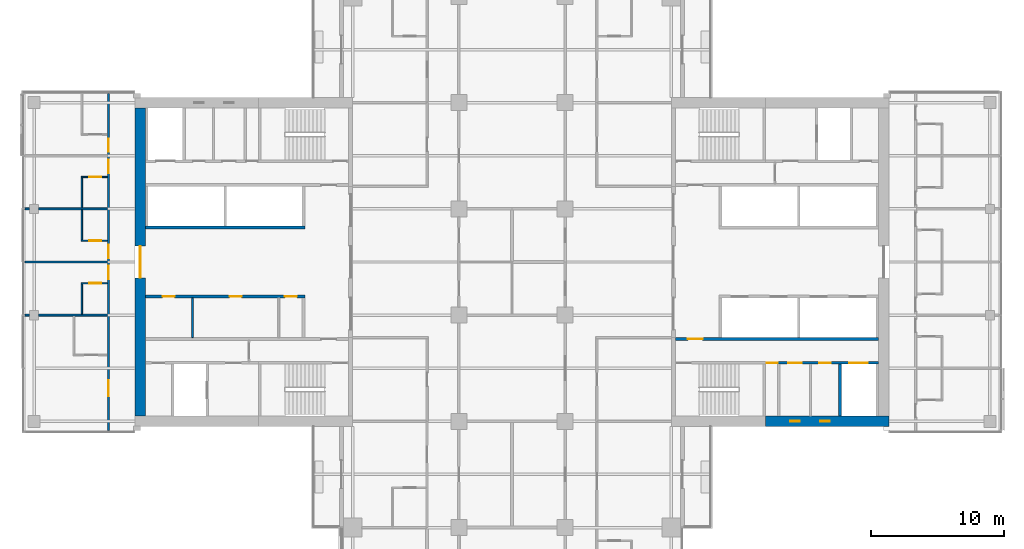
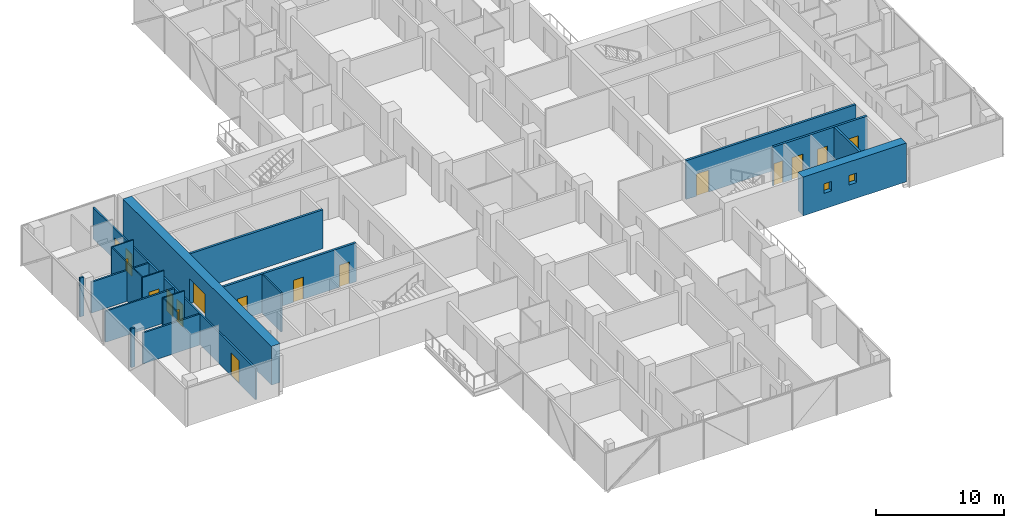
# One storey, part 17 of 27: 20 walls, 17 doors, 2 windows, 19 openings.
"""IFC4 building model written with IfcOpenShell, lengths in metres."""

from ifc_helpers import new_model, si_unit, direction, frame, frame_2d, origin, place, context, subcontext, project, spatial, rectangle, extrude, material, layer, layer_set, constituent, constituent_set, type_object, element, fill, save


model = new_model("IFC4")

# Units and contexts
model_context = context("Model", 3, precision=1e-05, world=origin(), true_north=direction((0.0, 1.0)))
body_context = subcontext(model_context, "Body", "Model", "MODEL_VIEW")
ifc_project = project(units=[si_unit("LENGTHUNIT", "METRE"), si_unit("AREAUNIT", "SQUARE_METRE"), si_unit("VOLUMEUNIT", "CUBIC_METRE"), si_unit("PLANEANGLEUNIT", "RADIAN"), si_unit("MASSUNIT", "GRAM", prefix="KILO")], contexts=[model_context])

# Site, building, storey
site_placement = place(None, origin())
site = spatial("IfcSite", under=ifc_project, at=site_placement, CompositionType="ELEMENT")
building_placement = place(site_placement, origin())
building = spatial("IfcBuilding", under=site, at=building_placement, Name="Crosswind Convention Tower", CompositionType="ELEMENT")
storey_placement = place(building_placement, frame((0.0, 0.0, 90.5)))
storey = spatial("IfcBuildingStorey", under=building, at=storey_placement, Name="L17", CompositionType="ELEMENT", Elevation=90.5)

# Wall, opening, door
ifc_material_1 = material(Name="Concrete C60/75", Category="concrete")
ifc_layer_1 = layer(ifc_material_1, 0.800048828125)
ifc_layer_set_1 = layer_set([ifc_layer_1], Name="Concrete C60/75")
wall_type_1 = type_object("IfcWallType", Name="Concrete core wall 800", PredefinedType="SHEAR", material=ifc_layer_set_1)
wall_1_placement = place(storey_placement, frame((97.0, 111.60009765625, 0.0), z_axis=(0.0, 0.0, 1.0), x_axis=(0.0, -1.0, 0.0)))
wall_1 = element("IfcWall", 1, at=wall_1_placement, inside=storey, type_object=wall_type_1, Name="Wall O W L17", PredefinedType="SHEAR", context=body_context, shape_type="SweptSolid", body=[
    extrude(rectangle(XDim=23.2001953125, YDim=0.800048828125, at=frame_2d((11.60009765625, 0.0))), origin(), (0.0, 0.0, 1.0), 3.699951171875),
])
opening_1_placement = place(wall_1_placement, frame((10.39990234375, 0.0, 0.0)))
opening_1 = element("IfcOpeningElement", 2, at=opening_1_placement, cuts=wall_1, Name="Opening D100", PredefinedType="OPENING", context=body_context, shape_type="SweptSolid", body=[
    extrude(rectangle(XDim=2.39990234375, YDim=2.39990234375, at=frame_2d((1.199951171875, 1.199951171875))), frame((0.0, 0.409912109375, 0.0), z_axis=(0.0, -1.0, 0.0), x_axis=(1.0, 0.0, 0.0)), (0.0, 0.0, 1.0), 0.820068359375),
])
ifc_material_2 = material(Name="Steel fire door with glazed vision panels", Category="steel")
door_type_1 = type_object("IfcDoorType", Name="Fire-rated double door 2400x2400", OperationType="DOUBLE_DOOR_SINGLE_SWING", PredefinedType="DOOR", material=ifc_material_2)
door_1_placement = place(opening_1_placement, origin())
door_1 = element("IfcDoor", 3, at=door_1_placement, inside=storey, type_object=door_type_1, Name="Lobby outer door L17", ObjectType="D100", OperationType="DOUBLE_DOOR_SINGLE_SWING", OverallHeight=2.39990234375, OverallWidth=2.39990234375, PredefinedType="DOOR", context=body_context, shape_type="SweptSolid", body=[
    extrude(rectangle(XDim=2.39990234375, YDim=2.39990234375, at=frame_2d((1.199951171875, 1.199951171875))), frame((0.0, 0.02490234375, 0.0), z_axis=(0.0, -1.0, 0.0), x_axis=(1.0, 0.0, 0.0)), (0.0, 0.0, 1.0), 0.050048828125),
])
fill(opening_1, door_1)

ifc_material_3 = material(Name="Concrete C50/60", Category="concrete")
ifc_layer_2 = layer(ifc_material_3, 0.199951171875)
ifc_layer_set_2 = layer_set([ifc_layer_2], Name="Concrete C50/60")
wall_type_2 = type_object("IfcWallType", Name="Concrete shaft and stair wall 200", PredefinedType="SHEAR", material=ifc_layer_set_2)
wall_2_placement = place(storey_placement, frame((137.300048828125, 94.199951171875, 0.0), z_axis=(0.0, 0.0, 1.0), x_axis=(1.0, 0.0, 0.0)))
wall_2 = element("IfcWall", 4, at=wall_2_placement, inside=storey, type_object=wall_type_2, Name="Wall HM E L17", PredefinedType="SHEAR", context=body_context, shape_type="SweptSolid", body=[
    extrude(rectangle(XDim=15.300048828125, YDim=0.199951171875, at=frame_2d((7.64990234375, 0.0))), origin(), (0.0, 0.0, 1.0), 3.699951171875),
])
opening_2_placement = place(wall_2_placement, frame((0.949951171875, 0.0, 0.0)))
opening_2 = element("IfcOpeningElement", 5, at=opening_2_placement, cuts=wall_2, Name="Opening D104", PredefinedType="OPENING", context=body_context, shape_type="SweptSolid", body=[
    extrude(rectangle(XDim=1.10009765625, YDim=2.10009765625, at=frame_2d((0.550048828125, 1.050048828125))), frame((0.0, 0.10986328125, 0.0), z_axis=(0.0, -1.0, 0.0), x_axis=(1.0, 0.0, 0.0)), (0.0, 0.0, 1.0), 0.219970703125),
])
ifc_material_4 = material(Name="Steel fire door", Category="steel")
door_type_2 = type_object("IfcDoorType", Name="Fire-rated single door 1100x2100", OperationType="NOTDEFINED", PredefinedType="DOOR", material=ifc_material_4)
door_2_placement = place(opening_2_placement, origin())
door_2 = element("IfcDoor", 6, at=door_2_placement, inside=storey, type_object=door_type_2, Name="Corridor door L17", ObjectType="D104", OperationType="SINGLE_SWING_LEFT", OverallHeight=2.10009765625, OverallWidth=1.10009765625, PredefinedType="DOOR", context=body_context, shape_type="SweptSolid", body=[
    extrude(rectangle(XDim=1.10009765625, YDim=2.10009765625, at=frame_2d((0.550048828125, 1.050048828125))), frame((0.0, 0.02490234375, 0.0), z_axis=(0.0, -1.0, 0.0), x_axis=(1.0, 0.0, 0.0)), (0.0, 0.0, 1.0), 0.050048828125),
])
fill(opening_2, door_2)

# Wall
wall_3_placement = place(storey_placement, frame((149.699951171875, 88.39990234375, 0.0), z_axis=(0.0, 0.0, 1.0), x_axis=(0.0, 1.0, 0.0)))
element("IfcWall", 7, at=wall_3_placement, inside=storey, type_object=wall_type_2, Name="Wall MFSW E L17", PredefinedType="SHEAR", context=body_context, shape_type="SweptSolid", body=[
    extrude(rectangle(XDim=3.900146484375, YDim=0.199951171875, at=frame_2d((1.9501953125, 0.0))), origin(), (0.0, 0.0, 1.0), 3.699951171875),
])

# Wall, openings, doors
wall_4_placement = place(storey_placement, frame((144.10009765625, 92.39990234375, 0.0), z_axis=(0.0, 0.0, 1.0), x_axis=(1.0, 0.0, 0.0)))
wall_4 = element("IfcWall", 8, at=wall_4_placement, inside=storey, type_object=wall_type_2, Name="Wall MCX E L17", PredefinedType="SHEAR", context=body_context, shape_type="SweptSolid", body=[
    extrude(rectangle(XDim=8.5, YDim=0.199951171875, at=frame_2d((4.25, 0.0))), origin(), (0.0, 0.0, 1.0), 3.699951171875),
])
opening_3_placement = place(wall_4_placement, frame((0.10009765625, 0.0, 0.0)))
opening_3 = element("IfcOpeningElement", 9, at=opening_3_placement, cuts=wall_4, Name="Opening D105", PredefinedType="OPENING", context=body_context, shape_type="SweptSolid", body=[
    extrude(rectangle(XDim=0.800048828125, YDim=2.10009765625, at=frame_2d((0.39990234375, 1.050048828125))), frame((0.0, 0.10986328125, 0.0), z_axis=(0.0, -1.0, 0.0), x_axis=(1.0, 0.0, 0.0)), (0.0, 0.0, 1.0), 0.219970703125),
])
opening_4_placement = place(wall_4_placement, frame((1.712646484375, 0.0, 0.0)))
opening_4 = element("IfcOpeningElement", 10, at=opening_4_placement, cuts=wall_4, Name="Opening D103", PredefinedType="OPENING", context=body_context, shape_type="SweptSolid", body=[
    extrude(rectangle(XDim=1.0, YDim=2.10009765625, at=frame_2d((0.5, 1.050048828125))), frame((0.0, 0.10986328125, 0.0), z_axis=(0.0, -1.0, 0.0), x_axis=(1.0, 0.0, 0.0)), (0.0, 0.0, 1.0), 0.219970703125),
])
opening_5_placement = place(wall_4_placement, frame((4.025146484375, 0.0, 0.0)))
opening_5 = element("IfcOpeningElement", 11, at=opening_5_placement, cuts=wall_4, Name="Opening D106", PredefinedType="OPENING", context=body_context, shape_type="SweptSolid", body=[
    extrude(rectangle(XDim=0.89990234375, YDim=2.10009765625, at=frame_2d((0.449951171875, 1.050048828125))), frame((0.0, 0.10986328125, 0.0), z_axis=(0.0, -1.0, 0.0), x_axis=(1.0, 0.0, 0.0)), (0.0, 0.0, 1.0), 0.219970703125),
])
opening_6_placement = place(wall_4_placement, frame((6.300048828125, 0.0, 0.0)))
opening_6 = element("IfcOpeningElement", 12, at=opening_6_placement, cuts=wall_4, Name="Opening LD2", PredefinedType="OPENING", context=body_context, shape_type="SweptSolid", body=[
    extrude(rectangle(XDim=1.39990234375, YDim=2.10009765625, at=frame_2d((0.699951171875, 1.050048828125))), frame((0.0, 0.10986328125, 0.0), z_axis=(0.0, -1.0, 0.0), x_axis=(1.0, 0.0, 0.0)), (0.0, 0.0, 1.0), 0.219970703125),
])
door_type_3 = type_object("IfcDoorType", Name="Fire-rated single door 1000x2100", OperationType="NOTDEFINED", PredefinedType="DOOR", material=ifc_material_4)
door_3_placement = place(opening_4_placement, frame((1.0, 0.0, 0.0), z_axis=(0.0, 0.0, 1.0), x_axis=(-1.0, 0.0, 0.0)))
door_3 = element("IfcDoor", 13, at=door_3_placement, inside=storey, type_object=door_type_3, Name="Door to accessible wc L17", ObjectType="D103", OperationType="SINGLE_SWING_LEFT", OverallHeight=2.10009765625, OverallWidth=1.0, PredefinedType="DOOR", context=body_context, shape_type="SweptSolid", body=[
    extrude(rectangle(XDim=1.0, YDim=2.10009765625, at=frame_2d((0.5, 1.050048828125))), frame((0.0, 0.02490234375, 0.0), z_axis=(0.0, -1.0, 0.0), x_axis=(1.0, 0.0, 0.0)), (0.0, 0.0, 1.0), 0.050048828125),
])
fill(opening_4, door_3)
ifc_material_5 = material(Name="Stainless steel", Category="steel")
door_type_4 = type_object("IfcDoorType", Name="Lift landing door 1400x2100", OperationType="DOUBLE_DOOR_SLIDING", PredefinedType="DOOR", material=ifc_material_5)
door_4_placement = place(opening_6_placement, origin())
door_4 = element("IfcDoor", 14, at=door_4_placement, inside=storey, type_object=door_type_4, Name="Landing door SV1 L17", ObjectType="LD2", OperationType="DOUBLE_DOOR_SLIDING", OverallHeight=2.10009765625, OverallWidth=1.39990234375, PredefinedType="DOOR", context=body_context, shape_type="SweptSolid", body=[
    extrude(rectangle(XDim=1.39990234375, YDim=2.10009765625, at=frame_2d((0.699951171875, 1.050048828125))), frame((0.0, 0.02490234375, 0.0), z_axis=(0.0, -1.0, 0.0), x_axis=(1.0, 0.0, 0.0)), (0.0, 0.0, 1.0), 0.050048828125),
])
fill(opening_6, door_4)
door_type_5 = type_object("IfcDoorType", Name="Riser access door 800x2100", OperationType="NOTDEFINED", PredefinedType="DOOR", material=ifc_material_4)
door_5_placement = place(opening_3_placement, frame((0.800048828125, 0.0, 0.0), z_axis=(0.0, 0.0, 1.0), x_axis=(-1.0, 0.0, 0.0)))
door_5 = element("IfcDoor", 15, at=door_5_placement, inside=storey, type_object=door_type_5, Name="Riser door L17", ObjectType="D105", OperationType="SINGLE_SWING_LEFT", OverallHeight=2.10009765625, OverallWidth=0.800048828125, PredefinedType="DOOR", context=body_context, shape_type="SweptSolid", body=[
    extrude(rectangle(XDim=0.800048828125, YDim=2.10009765625, at=frame_2d((0.39990234375, 1.050048828125))), frame((0.0, 0.02490234375, 0.0), z_axis=(0.0, -1.0, 0.0), x_axis=(1.0, 0.0, 0.0)), (0.0, 0.0, 1.0), 0.050048828125),
])
fill(opening_3, door_5)
ifc_material_6 = material(Name="Timber door", Category="wood")
door_type_6 = type_object("IfcDoorType", Name="Single leaf door 900x2100", OperationType="NOTDEFINED", PredefinedType="DOOR", material=ifc_material_6)
door_6_placement = place(opening_5_placement, frame((0.89990234375, 0.0, 0.0), z_axis=(0.0, 0.0, 1.0), x_axis=(-1.0, 0.0, 0.0)))
door_6 = element("IfcDoor", 16, at=door_6_placement, inside=storey, type_object=door_type_6, Name="Door to wc L17", ObjectType="D106", OperationType="SINGLE_SWING_LEFT", OverallHeight=2.10009765625, OverallWidth=0.89990234375, PredefinedType="DOOR", context=body_context, shape_type="SweptSolid", body=[
    extrude(rectangle(XDim=0.89990234375, YDim=2.10009765625, at=frame_2d((0.449951171875, 1.050048828125))), frame((0.0, 0.02490234375, 0.0), z_axis=(0.0, -1.0, 0.0), x_axis=(1.0, 0.0, 0.0)), (0.0, 0.0, 1.0), 0.050048828125),
])
fill(opening_5, door_6)

wall_5_placement = place(storey_placement, frame((109.39990234375, 97.39990234375, 0.0), z_axis=(0.0, 0.0, 1.0), x_axis=(-1.0, 0.0, 0.0)))
wall_5 = element("IfcWall", 17, at=wall_5_placement, inside=storey, type_object=wall_type_2, Name="Wall RPFRONT W L17", PredefinedType="SHEAR", context=body_context, shape_type="SweptSolid", body=[
    extrude(rectangle(XDim=12.0, YDim=0.199951171875, at=frame_2d((6.0, 0.0))), origin(), (0.0, 0.0, 1.0), 3.699951171875),
])
opening_7_placement = place(wall_5_placement, frame((0.603759765625, 0.0, 0.0)))
opening_7 = element("IfcOpeningElement", 18, at=opening_7_placement, cuts=wall_5, Name="Opening D106", PredefinedType="OPENING", context=body_context, shape_type="SweptSolid", body=[
    extrude(rectangle(XDim=0.89990234375, YDim=2.10009765625, at=frame_2d((0.449951171875, 1.050048828125))), frame((0.0, 0.10986328125, 0.0), z_axis=(0.0, -1.0, 0.0), x_axis=(1.0, 0.0, 0.0)), (0.0, 0.0, 1.0), 0.219970703125),
])
opening_8_placement = place(wall_5_placement, frame((4.764892578125, 0.0, 0.0)))
opening_8 = element("IfcOpeningElement", 19, at=opening_8_placement, cuts=wall_5, Name="Opening D106", PredefinedType="OPENING", context=body_context, shape_type="SweptSolid", body=[
    extrude(rectangle(XDim=0.89990234375, YDim=2.10009765625, at=frame_2d((0.449951171875, 1.050048828125))), frame((0.0, 0.10986328125, 0.0), z_axis=(0.0, -1.0, 0.0), x_axis=(1.0, 0.0, 0.0)), (0.0, 0.0, 1.0), 0.219970703125),
])
opening_9_placement = place(wall_5_placement, frame((9.811279296875, 0.0, 0.0)))
opening_9 = element("IfcOpeningElement", 20, at=opening_9_placement, cuts=wall_5, Name="Opening D106", PredefinedType="OPENING", context=body_context, shape_type="SweptSolid", body=[
    extrude(rectangle(XDim=0.89990234375, YDim=2.10009765625, at=frame_2d((0.449951171875, 1.050048828125))), frame((0.0, 0.10986328125, 0.0), z_axis=(0.0, -1.0, 0.0), x_axis=(1.0, 0.0, 0.0)), (0.0, 0.0, 1.0), 0.219970703125),
])
door_7_placement = place(opening_7_placement, origin())
door_7 = element("IfcDoor", 21, at=door_7_placement, inside=storey, type_object=door_type_6, Name="Door to ice and vending room L17", ObjectType="D106", OperationType="SINGLE_SWING_RIGHT", OverallHeight=2.10009765625, OverallWidth=0.89990234375, PredefinedType="DOOR", context=body_context, shape_type="SweptSolid", body=[
    extrude(rectangle(XDim=0.89990234375, YDim=2.10009765625, at=frame_2d((0.449951171875, 1.050048828125))), frame((0.0, 0.02490234375, 0.0), z_axis=(0.0, -1.0, 0.0), x_axis=(1.0, 0.0, 0.0)), (0.0, 0.0, 1.0), 0.050048828125),
])
fill(opening_7, door_7)
door_8_placement = place(opening_8_placement, origin())
door_8 = element("IfcDoor", 22, at=door_8_placement, inside=storey, type_object=door_type_6, Name="Door to storeroom L17", ObjectType="D106", OperationType="SINGLE_SWING_RIGHT", OverallHeight=2.10009765625, OverallWidth=0.89990234375, PredefinedType="DOOR", context=body_context, shape_type="SweptSolid", body=[
    extrude(rectangle(XDim=0.89990234375, YDim=2.10009765625, at=frame_2d((0.449951171875, 1.050048828125))), frame((0.0, 0.02490234375, 0.0), z_axis=(0.0, -1.0, 0.0), x_axis=(1.0, 0.0, 0.0)), (0.0, 0.0, 1.0), 0.050048828125),
])
fill(opening_8, door_8)
door_9_placement = place(opening_9_placement, origin())
door_9 = element("IfcDoor", 23, at=door_9_placement, inside=storey, type_object=door_type_6, Name="Door to housekeeping store L17", ObjectType="D106", OperationType="SINGLE_SWING_RIGHT", OverallHeight=2.10009765625, OverallWidth=0.89990234375, PredefinedType="DOOR", context=body_context, shape_type="SweptSolid", body=[
    extrude(rectangle(XDim=0.89990234375, YDim=2.10009765625, at=frame_2d((0.449951171875, 1.050048828125))), frame((0.0, 0.02490234375, 0.0), z_axis=(0.0, -1.0, 0.0), x_axis=(1.0, 0.0, 0.0)), (0.0, 0.0, 1.0), 0.050048828125),
])
fill(opening_9, door_9)

# Walls
wall_6_placement = place(storey_placement, frame((109.39990234375, 102.60009765625, 0.0), z_axis=(0.0, 0.0, 1.0), x_axis=(-1.0, 0.0, 0.0)))
element("IfcWall", 24, at=wall_6_placement, inside=storey, type_object=wall_type_2, Name="Wall RMFRONT W L17", PredefinedType="SHEAR", context=body_context, shape_type="SweptSolid", body=[
    extrude(rectangle(XDim=12.0, YDim=0.199951171875, at=frame_2d((6.0, 0.0))), origin(), (0.0, 0.0, 1.0), 3.699951171875),
])
ifc_material_7 = material(Name="Gypsum plasterboard partition", Category="gypsum")
ifc_layer_3 = layer(ifc_material_7, 0.125)
ifc_layer_set_3 = layer_set([ifc_layer_3], Name="Drywall partition wall 125")
wall_type_3 = type_object("IfcWallType", Name="Drywall partition wall 125", PredefinedType="PARTITIONING", material=ifc_layer_set_3)
wall_7_placement = place(storey_placement, frame((100.93994140625, 97.300048828125, 0.0), z_axis=(0.0, 0.0, 1.0), x_axis=(0.0, -1.0, 0.0)))
element("IfcWall", 25, at=wall_7_placement, inside=storey, type_object=wall_type_3, Name="Wall RPP2 W L17", PredefinedType="PARTITIONING", context=body_context, shape_type="SweptSolid", body=[
    extrude(rectangle(XDim=3.0, YDim=0.125, at=frame_2d((1.5, 0.0))), origin(), (0.0, 0.0, 1.0), 3.699951171875),
])
ifc_material_8 = material(Name="Acoustic plasterboard partition", Category="gypsum")
ifc_layer_4 = layer(ifc_material_8, 0.14990234375)
ifc_layer_set_4 = layer_set([ifc_layer_4], Name="GUEST ROOM WALL 150")
wall_type_4 = type_object("IfcWallType", Name="GUEST ROOM WALL 150", PredefinedType="PARTITIONING", material=ifc_layer_set_4)
wall_8_placement = place(storey_placement, frame((88.300048828125, 96.0, 0.0), z_axis=(0.0, 0.0, 1.0), x_axis=(1.0, 0.0, 0.0)))
element("IfcWall", 26, at=wall_8_placement, inside=storey, type_object=wall_type_4, Name="Guest Room Wall 21", PredefinedType="PARTITIONING", context=body_context, shape_type="SweptSolid", body=[
    extrude(rectangle(XDim=0.349853515625, YDim=0.14990234375, at=frame_2d((0.1748046875, 0.0))), origin(), (0.0, 0.0, 1.0), 3.699951171875),
])
wall_9_placement = place(storey_placement, frame((89.35009765625, 96.0, 0.0), z_axis=(0.0, 0.0, 1.0), x_axis=(1.0, 0.0, 0.0)))
element("IfcWall", 27, at=wall_9_placement, inside=storey, type_object=wall_type_4, Name="Guest Room Wall 22", PredefinedType="PARTITIONING", context=body_context, shape_type="SweptSolid", body=[
    extrude(rectangle(XDim=5.1748046875, YDim=0.14990234375, at=frame_2d((2.58740234375, 0.0))), origin(), (0.0, 0.0, 1.0), 2.956298828125),
])
wall_10_placement = place(storey_placement, frame((88.300048828125, 100.0, 0.0), z_axis=(0.0, 0.0, 1.0), x_axis=(1.0, 0.0, 0.0)))
element("IfcWall", 28, at=wall_10_placement, inside=storey, type_object=wall_type_4, Name="Guest Room Wall 28", PredefinedType="PARTITIONING", context=body_context, shape_type="SweptSolid", body=[
    extrude(rectangle(XDim=6.224853515625, YDim=0.14990234375, at=frame_2d((3.1123046875, 0.0))), origin(), (0.0, 0.0, 1.0), 2.962890625),
])
wall_11_placement = place(storey_placement, frame((88.300048828125, 104.0, 0.0), z_axis=(0.0, 0.0, 1.0), x_axis=(1.0, 0.0, 0.0)))
element("IfcWall", 29, at=wall_11_placement, inside=storey, type_object=wall_type_4, Name="Guest Room Wall 34", PredefinedType="PARTITIONING", context=body_context, shape_type="SweptSolid", body=[
    extrude(rectangle(XDim=0.349853515625, YDim=0.14990234375, at=frame_2d((0.1748046875, 0.0))), origin(), (0.0, 0.0, 1.0), 3.699951171875),
])
wall_12_placement = place(storey_placement, frame((89.35009765625, 104.0, 0.0), z_axis=(0.0, 0.0, 1.0), x_axis=(1.0, 0.0, 0.0)))
element("IfcWall", 30, at=wall_12_placement, inside=storey, type_object=wall_type_4, Name="Guest Room Wall 35", PredefinedType="PARTITIONING", context=body_context, shape_type="SweptSolid", body=[
    extrude(rectangle(XDim=5.1748046875, YDim=0.14990234375, at=frame_2d((2.58740234375, 0.0))), origin(), (0.0, 0.0, 1.0), 2.956298828125),
])

# Wall, openings, doors
wall_13_placement = place(storey_placement, frame((94.60009765625, 87.300048828125, 0.0), z_axis=(0.0, 0.0, 1.0), x_axis=(0.0, 1.0, 0.0)))
wall_13 = element("IfcWall", 31, at=wall_13_placement, inside=storey, type_object=wall_type_4, Name="Guest Room Wall 71", PredefinedType="PARTITIONING", context=body_context, shape_type="SweptSolid", body=[
    extrude(rectangle(XDim=25.39990234375, YDim=0.14990234375, at=frame_2d((12.699951171875, 0.0))), origin(), (0.0, 0.0, 1.0), 2.956298828125),
])
opening_10_placement = place(wall_13_placement, frame((2.60009765625, 0.0, 0.0)))
opening_10 = element("IfcOpeningElement", 32, at=opening_10_placement, cuts=wall_13, Name="Opening 17.040", PredefinedType="OPENING", context=body_context, shape_type="SweptSolid", body=[
    extrude(rectangle(XDim=1.199951171875, YDim=2.199951171875, at=frame_2d((0.60009765625, 1.10009765625))), frame((0.0, 0.0849609375, 0.0), z_axis=(0.0, -1.0, 0.0), x_axis=(1.0, 0.0, 0.0)), (0.0, 0.0, 1.0), 0.169921875),
])
opening_11_placement = place(wall_13_placement, frame((11.39990234375, 0.0, 0.0)))
opening_11 = element("IfcOpeningElement", 33, at=opening_11_placement, cuts=wall_13, Name="Opening 17.042", PredefinedType="OPENING", context=body_context, shape_type="SweptSolid", body=[
    extrude(rectangle(XDim=1.0, YDim=2.10009765625, at=frame_2d((0.5, 1.050048828125))), frame((0.0, 0.0849609375, 0.0), z_axis=(0.0, -1.0, 0.0), x_axis=(1.0, 0.0, 0.0)), (0.0, 0.0, 1.0), 0.169921875),
])
opening_12_placement = place(wall_13_placement, frame((13.0, 0.0, 0.0)))
opening_12 = element("IfcOpeningElement", 34, at=opening_12_placement, cuts=wall_13, Name="Opening 17.044", PredefinedType="OPENING", context=body_context, shape_type="SweptSolid", body=[
    extrude(rectangle(XDim=1.0, YDim=2.10009765625, at=frame_2d((0.5, 1.050048828125))), frame((0.0, 0.0849609375, 0.0), z_axis=(0.0, -1.0, 0.0), x_axis=(1.0, 0.0, 0.0)), (0.0, 0.0, 1.0), 0.169921875),
])
opening_13_placement = place(wall_13_placement, frame((19.39990234375, 0.0, 0.0)))
opening_13 = element("IfcOpeningElement", 35, at=opening_13_placement, cuts=wall_13, Name="Opening 17.046", PredefinedType="OPENING", context=body_context, shape_type="SweptSolid", body=[
    extrude(rectangle(XDim=1.0, YDim=2.10009765625, at=frame_2d((0.5, 1.050048828125))), frame((0.0, 0.0849609375, 0.0), z_axis=(0.0, -1.0, 0.0), x_axis=(1.0, 0.0, 0.0)), (0.0, 0.0, 1.0), 0.169921875),
])
opening_14_placement = place(wall_13_placement, frame((21.0, 0.0, 0.0)))
opening_14 = element("IfcOpeningElement", 36, at=opening_14_placement, cuts=wall_13, Name="Opening 17.048", PredefinedType="OPENING", context=body_context, shape_type="SweptSolid", body=[
    extrude(rectangle(XDim=1.0, YDim=2.10009765625, at=frame_2d((0.5, 1.050048828125))), frame((0.0, 0.0849609375, 0.0), z_axis=(0.0, -1.0, 0.0), x_axis=(1.0, 0.0, 0.0)), (0.0, 0.0, 1.0), 0.169921875),
])
ifc_material_9 = material(Name="Timber fire door", Category="wood")
door_type_7 = type_object("IfcDoorType", Name="GUEST ROOM DOOR 1000X2100", OperationType="NOTDEFINED", PredefinedType="DOOR", material=ifc_material_9)
door_10_placement = place(opening_11_placement, origin())
door_10 = element("IfcDoor", 37, at=door_10_placement, inside=storey, type_object=door_type_7, Name="Door 17.042", ObjectType="D1", OperationType="SINGLE_SWING_RIGHT", OverallHeight=2.10009765625, OverallWidth=1.0, PredefinedType="DOOR", context=body_context, shape_type="SweptSolid", body=[
    extrude(rectangle(XDim=1.0, YDim=2.10009765625, at=frame_2d((0.5, 1.050048828125))), frame((0.0, 0.02490234375, 0.0), z_axis=(0.0, -1.0, 0.0), x_axis=(1.0, 0.0, 0.0)), (0.0, 0.0, 1.0), 0.050048828125),
])
fill(opening_11, door_10)
door_11_placement = place(opening_12_placement, origin())
door_11 = element("IfcDoor", 38, at=door_11_placement, inside=storey, type_object=door_type_7, Name="Door 17.044", ObjectType="D1", OperationType="SINGLE_SWING_RIGHT", OverallHeight=2.10009765625, OverallWidth=1.0, PredefinedType="DOOR", context=body_context, shape_type="SweptSolid", body=[
    extrude(rectangle(XDim=1.0, YDim=2.10009765625, at=frame_2d((0.5, 1.050048828125))), frame((0.0, 0.02490234375, 0.0), z_axis=(0.0, -1.0, 0.0), x_axis=(1.0, 0.0, 0.0)), (0.0, 0.0, 1.0), 0.050048828125),
])
fill(opening_12, door_11)
door_12_placement = place(opening_13_placement, origin())
door_12 = element("IfcDoor", 39, at=door_12_placement, inside=storey, type_object=door_type_7, Name="Door 17.046", ObjectType="D1", OperationType="SINGLE_SWING_RIGHT", OverallHeight=2.10009765625, OverallWidth=1.0, PredefinedType="DOOR", context=body_context, shape_type="SweptSolid", body=[
    extrude(rectangle(XDim=1.0, YDim=2.10009765625, at=frame_2d((0.5, 1.050048828125))), frame((0.0, 0.02490234375, 0.0), z_axis=(0.0, -1.0, 0.0), x_axis=(1.0, 0.0, 0.0)), (0.0, 0.0, 1.0), 0.050048828125),
])
fill(opening_13, door_12)
door_13_placement = place(opening_14_placement, origin())
door_13 = element("IfcDoor", 40, at=door_13_placement, inside=storey, type_object=door_type_7, Name="Door 17.048", ObjectType="D1", OperationType="SINGLE_SWING_RIGHT", OverallHeight=2.10009765625, OverallWidth=1.0, PredefinedType="DOOR", context=body_context, shape_type="SweptSolid", body=[
    extrude(rectangle(XDim=1.0, YDim=2.10009765625, at=frame_2d((0.5, 1.050048828125))), frame((0.0, 0.02490234375, 0.0), z_axis=(0.0, -1.0, 0.0), x_axis=(1.0, 0.0, 0.0)), (0.0, 0.0, 1.0), 0.050048828125),
])
fill(opening_14, door_13)
door_type_8 = type_object("IfcDoorType", Name="SUITE DOOR 1200X2200", OperationType="DOUBLE_DOOR_SINGLE_SWING", PredefinedType="DOOR", material=ifc_material_9)
door_14_placement = place(opening_10_placement, origin())
door_14 = element("IfcDoor", 41, at=door_14_placement, inside=storey, type_object=door_type_8, Name="Door 17.040", ObjectType="D14", OperationType="DOUBLE_DOOR_SINGLE_SWING", OverallHeight=2.199951171875, OverallWidth=1.199951171875, PredefinedType="DOOR", context=body_context, shape_type="SweptSolid", body=[
    extrude(rectangle(XDim=1.199951171875, YDim=2.199951171875, at=frame_2d((0.60009765625, 1.10009765625))), frame((0.0, 0.02490234375, 0.0), z_axis=(0.0, -1.0, 0.0), x_axis=(1.0, 0.0, 0.0)), (0.0, 0.0, 1.0), 0.050048828125),
])
fill(opening_10, door_14)

# Wall, openings, windows
ifc_constituent_1 = constituent(ifc_material_1, Name="Structure")
ifc_material_10 = material(Name="Terracotta rainscreen", Category="ceramic")
ifc_constituent_2 = constituent(ifc_material_10, Name="Facing")
ifc_constituent_set = constituent_set(constituents=[ifc_constituent_1, ifc_constituent_2], Name="Concrete C60/75, Terracotta rainscreen")
wall_type_5 = type_object("IfcWallType", Name="Terracotta rainscreen on concrete core wall 800", PredefinedType="SHEAR", material=ifc_constituent_set)
wall_14_placement = place(storey_placement, frame((144.10009765625, 88.0, 0.0), z_axis=(0.0, 0.0, 1.0), x_axis=(1.0, 0.0, 0.0)))
wall_14 = element("IfcWall", 42, at=wall_14_placement, inside=storey, type_object=wall_type_5, Name="Wall S2 E L17", PredefinedType="SHEAR", context=body_context, shape_type="SweptSolid", body=[
    extrude(rectangle(XDim=9.2998046875, YDim=0.800048828125, at=frame_2d((4.64990234375, 0.0))), origin(), (0.0, 0.0, 1.0), 3.699951171875),
])
opening_15_placement = place(wall_14_placement, frame((1.86279296875, 0.0, 1.5)))
opening_15 = element("IfcOpeningElement", 43, at=opening_15_placement, cuts=wall_14, Name="Opening W2", PredefinedType="OPENING", context=body_context, shape_type="SweptSolid", body=[
    extrude(rectangle(XDim=0.699951171875, YDim=0.89990234375, at=frame_2d((0.35009765625, 0.449951171875))), frame((0.0, 0.409912109375, 0.0), z_axis=(0.0, -1.0, 0.0), x_axis=(1.0, 0.0, 0.0)), (0.0, 0.0, 1.0), 0.820068359375),
])
opening_16_placement = place(wall_14_placement, frame((4.125244140625, 0.0, 1.5)))
opening_16 = element("IfcOpeningElement", 44, at=opening_16_placement, cuts=wall_14, Name="Opening W2", PredefinedType="OPENING", context=body_context, shape_type="SweptSolid", body=[
    extrude(rectangle(XDim=0.699951171875, YDim=0.89990234375, at=frame_2d((0.35009765625, 0.449951171875))), frame((0.0, 0.409912109375, 0.0), z_axis=(0.0, -1.0, 0.0), x_axis=(1.0, 0.0, 0.0)), (0.0, 0.0, 1.0), 0.820068359375),
])
ifc_material_11 = material(Name="Obscure glass in aluminium frame", Category="aluminium")
window_type = type_object("IfcWindowType", Name="WC window 700x900", PartitioningType="SINGLE_PANEL", PredefinedType="WINDOW", material=ifc_material_11)
window_1_placement = place(opening_15_placement, origin())
window_1 = element("IfcWindow", 45, at=window_1_placement, inside=storey, type_object=window_type, Name="WC window L17", ObjectType="W2", OverallHeight=0.89990234375, OverallWidth=0.699951171875, PartitioningType="SINGLE_PANEL", PredefinedType="WINDOW", context=body_context, shape_type="SweptSolid", body=[
    extrude(rectangle(XDim=0.699951171875, YDim=0.89990234375, at=frame_2d((0.35009765625, 0.449951171875))), frame((0.0, 0.030029296875, 0.0), z_axis=(0.0, -1.0, 0.0), x_axis=(1.0, 0.0, 0.0)), (0.0, 0.0, 1.0), 0.06005859375),
])
fill(opening_15, window_1)
window_2_placement = place(opening_16_placement, origin())
window_2 = element("IfcWindow", 46, at=window_2_placement, inside=storey, type_object=window_type, Name="WC window L17", ObjectType="W2", OverallHeight=0.89990234375, OverallWidth=0.699951171875, PartitioningType="SINGLE_PANEL", PredefinedType="WINDOW", context=body_context, shape_type="SweptSolid", body=[
    extrude(rectangle(XDim=0.699951171875, YDim=0.89990234375, at=frame_2d((0.35009765625, 0.449951171875))), frame((0.0, 0.030029296875, 0.0), z_axis=(0.0, -1.0, 0.0), x_axis=(1.0, 0.0, 0.0)), (0.0, 0.0, 1.0), 0.06005859375),
])
fill(opening_16, window_2)

# Wall, opening, door
ifc_material_12 = material(Name="Water-resistant plasterboard partition", Category="gypsum")
ifc_layer_5 = layer(ifc_material_12, 0.10009765625)
ifc_layer_set_5 = layer_set([ifc_layer_5], Name="WET ROOM PARTITION 100")
wall_type_6 = type_object("IfcWallType", Name="WET ROOM PARTITION 100", PredefinedType="PLUMBINGWALL", material=ifc_layer_set_5)
wall_15_placement = place(storey_placement, frame((92.550048828125, 98.39990234375, 0.0), z_axis=(0.0, 0.0, 1.0), x_axis=(1.0, 0.0, 0.0)))
wall_15 = element("IfcWall", 47, at=wall_15_placement, inside=storey, type_object=wall_type_6, Name="Wet Room Partition 27", PredefinedType="PLUMBINGWALL", context=body_context, shape_type="SweptSolid", body=[
    extrude(rectangle(XDim=1.974853515625, YDim=0.10009765625, at=frame_2d((0.9873046875, 0.0))), origin(), (0.0, 0.0, 1.0), 3.699951171875),
])
opening_17_placement = place(wall_15_placement, frame((0.60009765625, 0.0, 0.0)))
opening_17 = element("IfcOpeningElement", 48, at=opening_17_placement, cuts=wall_15, Name="Opening 17.043", PredefinedType="OPENING", context=body_context, shape_type="SweptSolid", body=[
    extrude(rectangle(XDim=0.89990234375, YDim=2.10009765625, at=frame_2d((0.449951171875, 1.050048828125))), frame((0.0, 0.06005859375, 0.0), z_axis=(0.0, -1.0, 0.0), x_axis=(1.0, 0.0, 0.0)), (0.0, 0.0, 1.0), 0.1201171875),
])
door_type_9 = type_object("IfcDoorType", Name="EN-SUITE DOOR 900X2100", OperationType="NOTDEFINED", PredefinedType="DOOR", material=ifc_material_6)
door_15_placement = place(opening_17_placement, frame((0.89990234375, 0.0, 0.0), z_axis=(0.0, 0.0, 1.0), x_axis=(-1.0, 0.0, 0.0)))
door_15 = element("IfcDoor", 49, at=door_15_placement, inside=storey, type_object=door_type_9, Name="Door 17.043", ObjectType="D2", OperationType="SINGLE_SWING_LEFT", OverallHeight=2.10009765625, OverallWidth=0.89990234375, PredefinedType="DOOR", context=body_context, shape_type="SweptSolid", body=[
    extrude(rectangle(XDim=0.89990234375, YDim=2.10009765625, at=frame_2d((0.449951171875, 1.050048828125))), frame((0.0, 0.02490234375, 0.0), z_axis=(0.0, -1.0, 0.0), x_axis=(1.0, 0.0, 0.0)), (0.0, 0.0, 1.0), 0.050048828125),
])
fill(opening_17, door_15)

wall_16_placement = place(storey_placement, frame((92.550048828125, 101.60009765625, 0.0), z_axis=(0.0, 0.0, 1.0), x_axis=(1.0, 0.0, 0.0)))
wall_16 = element("IfcWall", 50, at=wall_16_placement, inside=storey, type_object=wall_type_6, Name="Wet Room Partition 32", PredefinedType="PLUMBINGWALL", context=body_context, shape_type="SweptSolid", body=[
    extrude(rectangle(XDim=1.974853515625, YDim=0.10009765625, at=frame_2d((0.9873046875, 0.0))), origin(), (0.0, 0.0, 1.0), 3.699951171875),
])
opening_18_placement = place(wall_16_placement, frame((0.60009765625, 0.0, 0.0)))
opening_18 = element("IfcOpeningElement", 51, at=opening_18_placement, cuts=wall_16, Name="Opening 17.045", PredefinedType="OPENING", context=body_context, shape_type="SweptSolid", body=[
    extrude(rectangle(XDim=0.89990234375, YDim=2.10009765625, at=frame_2d((0.449951171875, 1.050048828125))), frame((0.0, 0.06005859375, 0.0), z_axis=(0.0, -1.0, 0.0), x_axis=(1.0, 0.0, 0.0)), (0.0, 0.0, 1.0), 0.1201171875),
])
door_16_placement = place(opening_18_placement, origin())
door_16 = element("IfcDoor", 52, at=door_16_placement, inside=storey, type_object=door_type_9, Name="Door 17.045", ObjectType="D2", OperationType="SINGLE_SWING_RIGHT", OverallHeight=2.10009765625, OverallWidth=0.89990234375, PredefinedType="DOOR", context=body_context, shape_type="SweptSolid", body=[
    extrude(rectangle(XDim=0.89990234375, YDim=2.10009765625, at=frame_2d((0.449951171875, 1.050048828125))), frame((0.0, 0.02490234375, 0.0), z_axis=(0.0, -1.0, 0.0), x_axis=(1.0, 0.0, 0.0)), (0.0, 0.0, 1.0), 0.050048828125),
])
fill(opening_18, door_16)

wall_17_placement = place(storey_placement, frame((92.550048828125, 106.39990234375, 0.0), z_axis=(0.0, 0.0, 1.0), x_axis=(1.0, 0.0, 0.0)))
wall_17 = element("IfcWall", 53, at=wall_17_placement, inside=storey, type_object=wall_type_6, Name="Wet Room Partition 43", PredefinedType="PLUMBINGWALL", context=body_context, shape_type="SweptSolid", body=[
    extrude(rectangle(XDim=1.974853515625, YDim=0.10009765625, at=frame_2d((0.9873046875, 0.0))), origin(), (0.0, 0.0, 1.0), 3.699951171875),
])
opening_19_placement = place(wall_17_placement, frame((0.60009765625, 0.0, 0.0)))
opening_19 = element("IfcOpeningElement", 54, at=opening_19_placement, cuts=wall_17, Name="Opening 17.047", PredefinedType="OPENING", context=body_context, shape_type="SweptSolid", body=[
    extrude(rectangle(XDim=0.89990234375, YDim=2.10009765625, at=frame_2d((0.449951171875, 1.050048828125))), frame((0.0, 0.06005859375, 0.0), z_axis=(0.0, -1.0, 0.0), x_axis=(1.0, 0.0, 0.0)), (0.0, 0.0, 1.0), 0.1201171875),
])
door_17_placement = place(opening_19_placement, frame((0.89990234375, 0.0, 0.0), z_axis=(0.0, 0.0, 1.0), x_axis=(-1.0, 0.0, 0.0)))
door_17 = element("IfcDoor", 55, at=door_17_placement, inside=storey, type_object=door_type_9, Name="Door 17.047", ObjectType="D2", OperationType="SINGLE_SWING_LEFT", OverallHeight=2.10009765625, OverallWidth=0.89990234375, PredefinedType="DOOR", context=body_context, shape_type="SweptSolid", body=[
    extrude(rectangle(XDim=0.89990234375, YDim=2.10009765625, at=frame_2d((0.449951171875, 1.050048828125))), frame((0.0, 0.02490234375, 0.0), z_axis=(0.0, -1.0, 0.0), x_axis=(1.0, 0.0, 0.0)), (0.0, 0.0, 1.0), 0.050048828125),
])
fill(opening_19, door_17)

# Walls
for number, where, z_axis, x_axis, name in (
    (56, (92.60009765625, 96.074951171875, 0.0), (0.0, 0.0, 1.0), (0.0, 1.0, 0.0), "Wet Room Partition 67"),
    (57, (92.60009765625, 101.64990234375, 0.0), (0.0, 0.0, 1.0), (0.0, 1.0, 0.0), "Wet Room Partition 68"),
    (58, (92.60009765625, 104.074951171875, 0.0), (0.0, 0.0, 1.0), (0.0, 1.0, 0.0), "Wet Room Partition 69"),
):
    element("IfcWall", number, at=place(storey_placement, frame(where, z_axis=z_axis, x_axis=x_axis)), inside=storey, type_object=wall_type_6, Name=name, PredefinedType="PLUMBINGWALL", context=body_context, shape_type="SweptSolid", body=[
        extrude(rectangle(XDim=2.275146484375, YDim=0.10009765625, at=frame_2d((1.1376953125, 0.0))), origin(), (0.0, 0.0, 1.0), 3.699951171875),
    ])

save(model, "model.ifc")
